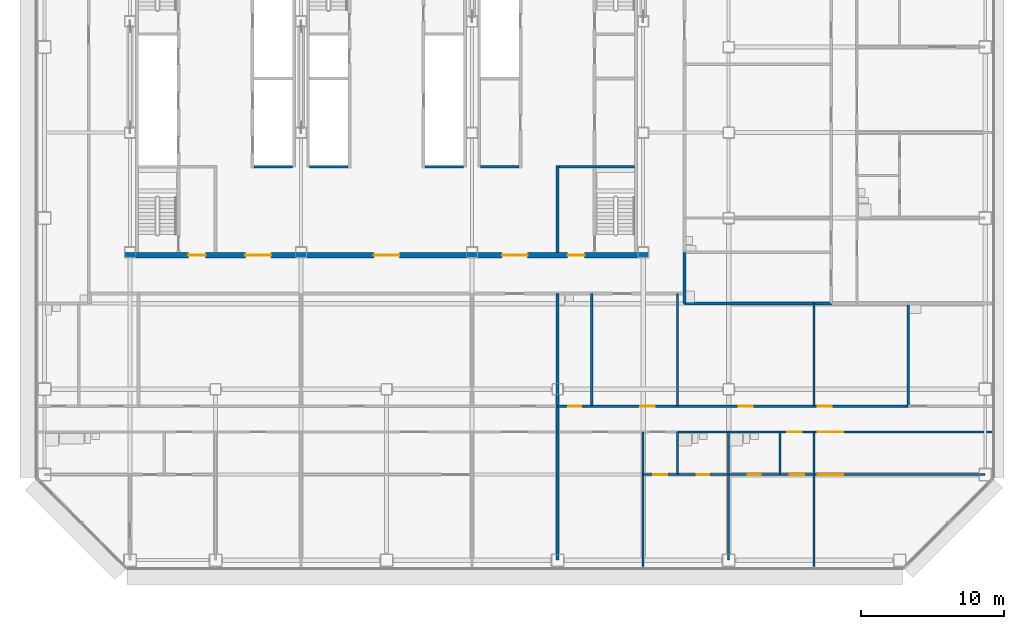
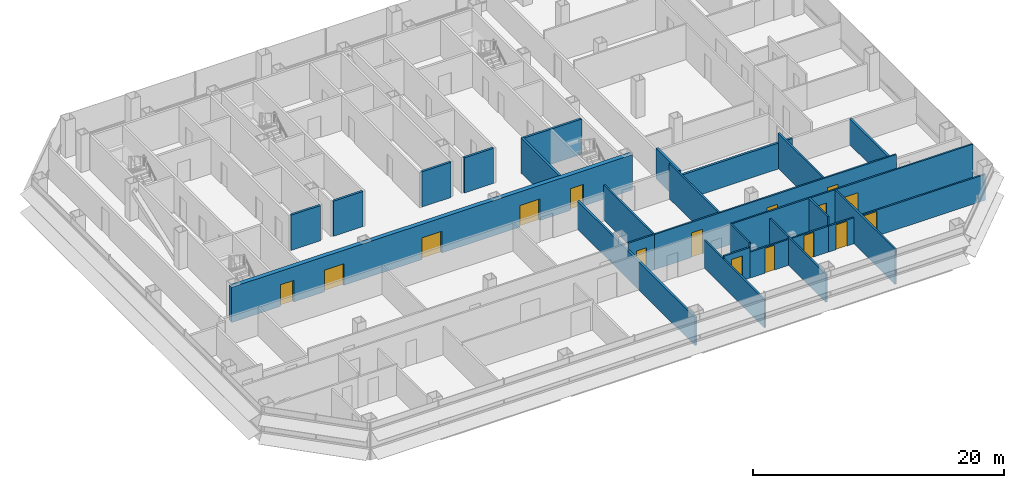
# One storey, part 21 of 27: 27 walls, 16 doors, 16 openings.
"""IFC4 building model written with IfcOpenShell, lengths in metres."""

from ifc_helpers import new_model, si_unit, direction, frame, frame_2d, origin, place, context, subcontext, project, spatial, rectangle, extrude, material, layer, layer_set, type_object, element, fill, save


model = new_model("IFC4")

# Units and contexts
model_context = context("Model", 3, precision=1e-05, world=origin(), true_north=direction((0.0, 1.0)))
body_context = subcontext(model_context, "Body", "Model", "MODEL_VIEW")
ifc_project = project(units=[si_unit("LENGTHUNIT", "METRE"), si_unit("AREAUNIT", "SQUARE_METRE"), si_unit("VOLUMEUNIT", "CUBIC_METRE"), si_unit("PLANEANGLEUNIT", "RADIAN"), si_unit("MASSUNIT", "GRAM", prefix="KILO")], contexts=[model_context])

# Site, building, storey
site_placement = place(None, origin())
site = spatial("IfcSite", under=ifc_project, at=site_placement, CompositionType="ELEMENT")
building_placement = place(site_placement, origin())
building = spatial("IfcBuilding", under=site, at=building_placement, Name="Sorahane Residences", CompositionType="ELEMENT")
storey_placement = place(building_placement, frame((0.0, 0.0, 49.800048828125)))
storey = spatial("IfcBuildingStorey", under=building, at=storey_placement, Name="L08", CompositionType="ELEMENT", Elevation=49.800048828125)

# Walls
ifc_material_1 = material(Name="Concrete C30", Category="concrete")
ifc_layer_1 = layer(ifc_material_1, 0.199951171875)
ifc_layer_set_1 = layer_set([ifc_layer_1], Name="Front room wall 200 EI 120")
wall_type_1 = type_object("IfcWallType", Name="Front room wall 200 EI 120", PredefinedType="PARTITIONING", material=ifc_layer_set_1)
wall_1_placement = place(storey_placement, frame((36.0, 21.60009765625, 0.0), z_axis=(0.0, 0.0, 1.0), x_axis=(0.0, 1.0, 0.0)))
element("IfcWall", 1, at=wall_1_placement, inside=storey, type_object=wall_type_1, Name="L08 front room wall", PredefinedType="PARTITIONING", context=body_context, shape_type="SweptSolid", body=[
    extrude(rectangle(XDim=6.099853515625, YDim=0.199951171875, at=frame_2d((3.0498046875, 0.0))), origin(), (0.0, 0.0, 1.0), 3.419921875),
])
ifc_material_2 = material(Name="Concrete blockwork C20 wall", Category="masonry")
ifc_layer_2 = layer(ifc_material_2, 0.199951171875)
ifc_layer_set_2 = layer_set([ifc_layer_2], Name="Kitchen wall 200 EI 180")
wall_type_2 = type_object("IfcWallType", Name="Kitchen wall 200 EI 180", PredefinedType="SOLIDWALL", material=ifc_layer_set_2)
wall_2_placement = place(storey_placement, frame((44.89990234375, 18.0, 0.0), z_axis=(0.0, 0.0, 1.0), x_axis=(0.0, 1.0, 0.0)))
element("IfcWall", 2, at=wall_2_placement, inside=storey, type_object=wall_type_2, Name="L08 kitchen wall", PredefinedType="SOLIDWALL", context=body_context, shape_type="SweptSolid", body=[
    extrude(rectangle(XDim=3.60009765625, YDim=0.199951171875, at=frame_2d((1.800048828125, 0.0))), origin(), (0.0, 0.0, 1.0), 2.969970703125),
])
wall_3_placement = place(storey_placement, frame((60.60009765625, 10.800048828125, 0.0), z_axis=(0.0, 0.0, 1.0), x_axis=(0.0, 1.0, 0.0)))
element("IfcWall", 3, at=wall_3_placement, inside=storey, type_object=wall_type_2, Name="L08 kitchen wall", PredefinedType="SOLIDWALL", context=body_context, shape_type="SweptSolid", body=[
    extrude(rectangle(XDim=7.199951171875, YDim=0.199951171875, at=frame_2d((3.60009765625, 0.0))), origin(), (0.0, 0.0, 1.0), 2.52001953125),
])
wall_4_placement = place(storey_placement, frame((44.89990234375, 18.0, 0.0), z_axis=(0.0, 0.0, 1.0), x_axis=(1.0, 0.0, 0.0)))
element("IfcWall", 4, at=wall_4_placement, inside=storey, type_object=wall_type_2, Name="L08 kitchen wall", PredefinedType="SOLIDWALL", context=body_context, shape_type="SweptSolid", body=[
    extrude(rectangle(XDim=10.300048828125, YDim=0.199951171875, at=frame_2d((5.14990234375, 0.0))), origin(), (0.0, 0.0, 1.0), 2.52001953125),
])
ifc_material_3 = material(Name="Concrete C30", Category="concrete")
ifc_layer_3 = layer(ifc_material_3, 0.199951171875)
ifc_layer_set_3 = layer_set([ifc_layer_3], Name="Lift shaft wall 200 EI 120")
wall_type_3 = type_object("IfcWallType", Name="Lift shaft wall 200 EI 120", PredefinedType="SOLIDWALL", material=ifc_layer_set_3)
for number, where, z_axis, x_axis, name in (
    (5, (14.699951171875, 27.60009765625, 0.0), (0.0, 0.0, 1.0), (1.0, 0.0, 0.0), "L08 lift shaft wall"),
    (6, (18.60009765625, 27.60009765625, 0.0), (0.0, 0.0, 1.0), (1.0, 0.0, 0.0), "L08 lift shaft wall"),
):
    element("IfcWall", number, at=place(storey_placement, frame(where, z_axis=z_axis, x_axis=x_axis)), inside=storey, type_object=wall_type_3, Name=name, PredefinedType="SOLIDWALL", context=body_context, shape_type="SweptSolid", body=[
        extrude(rectangle(XDim=2.699951171875, YDim=0.199951171875, at=frame_2d((1.35009765625, 0.0))), origin(), (0.0, 0.0, 1.0), 3.419921875),
    ])
ifc_material_4 = material(Name="Gypsum board partition on steel studs", Category="steel")
ifc_layer_4 = layer(ifc_material_4, 0.14990234375)
ifc_layer_set_4 = layer_set([ifc_layer_4], Name="Partition 150 EI 90")
wall_type_4 = type_object("IfcWallType", Name="Partition 150 EI 90", PredefinedType="PARTITIONING", material=ifc_layer_set_4)
wall_5_placement = place(storey_placement, frame((42.0, -0.60009765625, 0.0), z_axis=(0.0, 0.0, 1.0), x_axis=(0.0, 1.0, 0.0)))
element("IfcWall", 7, at=wall_5_placement, inside=storey, type_object=wall_type_4, Name="L08 partition", PredefinedType="PARTITIONING", context=body_context, shape_type="SweptSolid", body=[
    extrude(rectangle(XDim=9.60009765625, YDim=0.14990234375, at=frame_2d((4.800048828125, 0.0))), origin(), (0.0, 0.0, 1.0), 2.719970703125),
])
wall_6_placement = place(storey_placement, frame((44.39990234375, 10.800048828125, 0.0), z_axis=(0.0, 0.0, 1.0), x_axis=(0.0, 1.0, 0.0)))
element("IfcWall", 8, at=wall_6_placement, inside=storey, type_object=wall_type_4, Name="L08 partition", PredefinedType="PARTITIONING", context=body_context, shape_type="SweptSolid", body=[
    extrude(rectangle(XDim=7.89990234375, YDim=0.14990234375, at=frame_2d((3.949951171875, 0.0))), origin(), (0.0, 0.0, 1.0), 3.419921875),
])
wall_7_placement = place(storey_placement, frame((48.0, 0.0, 0.0), z_axis=(0.0, 0.0, 1.0), x_axis=(0.0, 1.0, 0.0)))
element("IfcWall", 9, at=wall_7_placement, inside=storey, type_object=wall_type_4, Name="L08 partition", PredefinedType="PARTITIONING", context=body_context, shape_type="SweptSolid", body=[
    extrude(rectangle(XDim=6.0, YDim=0.14990234375, at=frame_2d((3.0, 0.0))), origin(), (0.0, 0.0, 1.0), 2.719970703125),
])
wall_8_placement = place(storey_placement, frame((54.0, -0.60009765625, 0.0), z_axis=(0.0, 0.0, 1.0), x_axis=(0.0, 1.0, 0.0)))
element("IfcWall", 10, at=wall_8_placement, inside=storey, type_object=wall_type_4, Name="L08 partition", PredefinedType="PARTITIONING", context=body_context, shape_type="SweptSolid", body=[
    extrude(rectangle(XDim=9.60009765625, YDim=0.14990234375, at=frame_2d((4.800048828125, 0.0))), origin(), (0.0, 0.0, 1.0), 3.419921875),
])
wall_9_placement = place(storey_placement, frame((54.0, 10.800048828125, 0.0), z_axis=(0.0, 0.0, 1.0), x_axis=(0.0, 1.0, 0.0)))
element("IfcWall", 11, at=wall_9_placement, inside=storey, type_object=wall_type_4, Name="L08 partition", PredefinedType="PARTITIONING", context=body_context, shape_type="SweptSolid", body=[
    extrude(rectangle(XDim=7.199951171875, YDim=0.14990234375, at=frame_2d((3.60009765625, 0.0))), origin(), (0.0, 0.0, 1.0), 3.419921875),
])

# Wall, openings, doors
wall_10_placement = place(storey_placement, frame((38.39990234375, 10.800048828125, 0.0), z_axis=(0.0, 0.0, 1.0), x_axis=(1.0, 0.0, 0.0)))
wall_10 = element("IfcWall", 12, at=wall_10_placement, inside=storey, type_object=wall_type_4, Name="L08 partition", PredefinedType="PARTITIONING", context=body_context, shape_type="SweptSolid", body=[
    extrude(rectangle(XDim=22.2001953125, YDim=0.14990234375, at=frame_2d((11.10009765625, 0.0))), origin(), (0.0, 0.0, 1.0), 3.419921875),
])
opening_1_placement = place(wall_10_placement, frame((3.39990234375, 0.0, 0.0)))
opening_1 = element("IfcOpeningElement", 13, at=opening_1_placement, cuts=wall_10, Name="Opening L08-14", PredefinedType="OPENING", context=body_context, shape_type="SweptSolid", body=[
    extrude(rectangle(XDim=1.0, YDim=2.39990234375, at=frame_2d((0.5, 1.199951171875))), frame((0.0, 0.0849609375, 0.0), z_axis=(0.0, -1.0, 0.0), x_axis=(1.0, 0.0, 0.0)), (0.0, 0.0, 1.0), 0.169921875),
])
opening_2_placement = place(wall_10_placement, frame((10.300048828125, 0.0, 0.0)))
opening_2 = element("IfcOpeningElement", 14, at=opening_2_placement, cuts=wall_10, Name="Opening L08-16", PredefinedType="OPENING", context=body_context, shape_type="SweptSolid", body=[
    extrude(rectangle(XDim=1.0, YDim=2.39990234375, at=frame_2d((0.5, 1.199951171875))), frame((0.0, 0.0849609375, 0.0), z_axis=(0.0, -1.0, 0.0), x_axis=(1.0, 0.0, 0.0)), (0.0, 0.0, 1.0), 0.169921875),
])
opening_3_placement = place(wall_10_placement, frame((15.85009765625, 0.0, 0.0)))
opening_3 = element("IfcOpeningElement", 15, at=opening_3_placement, cuts=wall_10, Name="Opening L08-17", PredefinedType="OPENING", context=body_context, shape_type="SweptSolid", body=[
    extrude(rectangle(XDim=1.0, YDim=2.39990234375, at=frame_2d((0.5, 1.199951171875))), frame((0.0, 0.0849609375, 0.0), z_axis=(0.0, -1.0, 0.0), x_axis=(1.0, 0.0, 0.0)), (0.0, 0.0, 1.0), 0.169921875),
])
ifc_material_5 = material(Name="Timber veneered fire door", Category="wood")
door_type_1 = type_object("IfcDoorType", Name="Room door 1000x2400 FD30", OperationType="NOTDEFINED", PredefinedType="DOOR", material=ifc_material_5)
door_1_placement = place(opening_1_placement, frame((1.0, 0.0, 0.0), z_axis=(0.0, 0.0, 1.0), x_axis=(-1.0, 0.0, 0.0)))
door_1 = element("IfcDoor", 16, at=door_1_placement, inside=storey, type_object=door_type_1, Name="Room door L08-14", OperationType="SINGLE_SWING_RIGHT", OverallHeight=2.39990234375, OverallWidth=1.0, PredefinedType="DOOR", context=body_context, shape_type="SweptSolid", body=[
    extrude(rectangle(XDim=1.0, YDim=2.39990234375, at=frame_2d((0.5, 1.199951171875))), frame((0.0, 0.02490234375, 0.0), z_axis=(0.0, -1.0, 0.0), x_axis=(1.0, 0.0, 0.0)), (0.0, 0.0, 1.0), 0.050048828125),
])
fill(opening_1, door_1)
door_2_placement = place(opening_2_placement, origin())
door_2 = element("IfcDoor", 17, at=door_2_placement, inside=storey, type_object=door_type_1, Name="Room door L08-16", OperationType="SINGLE_SWING_LEFT", OverallHeight=2.39990234375, OverallWidth=1.0, PredefinedType="DOOR", context=body_context, shape_type="SweptSolid", body=[
    extrude(rectangle(XDim=1.0, YDim=2.39990234375, at=frame_2d((0.5, 1.199951171875))), frame((0.0, 0.02490234375, 0.0), z_axis=(0.0, -1.0, 0.0), x_axis=(1.0, 0.0, 0.0)), (0.0, 0.0, 1.0), 0.050048828125),
])
fill(opening_2, door_2)
door_3_placement = place(opening_3_placement, origin())
door_3 = element("IfcDoor", 18, at=door_3_placement, inside=storey, type_object=door_type_1, Name="Room door L08-17", OperationType="SINGLE_SWING_RIGHT", OverallHeight=2.39990234375, OverallWidth=1.0, PredefinedType="DOOR", context=body_context, shape_type="SweptSolid", body=[
    extrude(rectangle(XDim=1.0, YDim=2.39990234375, at=frame_2d((0.5, 1.199951171875))), frame((0.0, 0.02490234375, 0.0), z_axis=(0.0, -1.0, 0.0), x_axis=(1.0, 0.0, 0.0)), (0.0, 0.0, 1.0), 0.050048828125),
])
fill(opening_3, door_3)

# Wall, opening, door
wall_11_placement = place(storey_placement, frame((42.0, 6.0, 0.0), z_axis=(0.0, 0.0, 1.0), x_axis=(1.0, 0.0, 0.0)))
wall_11 = element("IfcWall", 19, at=wall_11_placement, inside=storey, type_object=wall_type_4, Name="L08 partition", PredefinedType="PARTITIONING", context=body_context, shape_type="SweptSolid", body=[
    extrude(rectangle(XDim=2.39990234375, YDim=0.14990234375, at=frame_2d((1.199951171875, 0.0))), origin(), (0.0, 0.0, 1.0), 2.969970703125),
])
opening_4_placement = place(wall_11_placement, frame((0.699951171875, 0.0, 0.0)))
opening_4 = element("IfcOpeningElement", 20, at=opening_4_placement, cuts=wall_11, Name="Opening L08-23", PredefinedType="OPENING", context=body_context, shape_type="SweptSolid", body=[
    extrude(rectangle(XDim=1.0, YDim=2.39990234375, at=frame_2d((0.5, 1.199951171875))), frame((0.0, 0.0849609375, 0.0), z_axis=(0.0, -1.0, 0.0), x_axis=(1.0, 0.0, 0.0)), (0.0, 0.0, 1.0), 0.169921875),
])
door_4_placement = place(opening_4_placement, frame((1.0, 0.0, 0.0), z_axis=(0.0, 0.0, 1.0), x_axis=(-1.0, 0.0, 0.0)))
door_4 = element("IfcDoor", 21, at=door_4_placement, inside=storey, type_object=door_type_1, Name="Room door L08-23", OperationType="SINGLE_SWING_RIGHT", OverallHeight=2.39990234375, OverallWidth=1.0, PredefinedType="DOOR", context=body_context, shape_type="SweptSolid", body=[
    extrude(rectangle(XDim=1.0, YDim=2.39990234375, at=frame_2d((0.5, 1.199951171875))), frame((0.0, 0.02490234375, 0.0), z_axis=(0.0, -1.0, 0.0), x_axis=(1.0, 0.0, 0.0)), (0.0, 0.0, 1.0), 0.050048828125),
])
fill(opening_4, door_4)

# Wall, openings, doors
wall_12_placement = place(storey_placement, frame((51.60009765625, 6.0, 0.0), z_axis=(0.0, 0.0, 1.0), x_axis=(1.0, 0.0, 0.0)))
wall_12 = element("IfcWall", 22, at=wall_12_placement, inside=storey, type_object=wall_type_4, Name="L08 partition", PredefinedType="PARTITIONING", context=body_context, shape_type="SweptSolid", body=[
    extrude(rectangle(XDim=14.39990234375, YDim=0.14990234375, at=frame_2d((7.199951171875, 0.0))), origin(), (0.0, 0.0, 1.0), 2.52001953125),
])
opening_5_placement = place(wall_12_placement, frame((0.699951171875, 0.0, 0.0)))
opening_5 = element("IfcOpeningElement", 23, at=opening_5_placement, cuts=wall_12, Name="Opening L08-25", PredefinedType="OPENING", context=body_context, shape_type="SweptSolid", body=[
    extrude(rectangle(XDim=1.0, YDim=2.39990234375, at=frame_2d((0.5, 1.199951171875))), frame((0.0, 0.0849609375, 0.0), z_axis=(0.0, -1.0, 0.0), x_axis=(1.0, 0.0, 0.0)), (0.0, 0.0, 1.0), 0.169921875),
])
opening_6_placement = place(wall_12_placement, frame((2.64990234375, 0.0, 0.0)))
opening_6 = element("IfcOpeningElement", 24, at=opening_6_placement, cuts=wall_12, Name="Opening L08-27", PredefinedType="OPENING", context=body_context, shape_type="SweptSolid", body=[
    extrude(rectangle(XDim=1.800048828125, YDim=2.39990234375, at=frame_2d((0.89990234375, 1.199951171875))), frame((0.0, 0.0849609375, 0.0), z_axis=(0.0, -1.0, 0.0), x_axis=(1.0, 0.0, 0.0)), (0.0, 0.0, 1.0), 0.169921875),
])
ifc_material_6 = material(Name="Timber veneered fire door", Category="wood")
door_type_2 = type_object("IfcDoorType", Name="Double door 1800x2400 FD30", OperationType="NOTDEFINED", PredefinedType="DOOR", material=ifc_material_6)
door_5_placement = place(opening_6_placement, frame((1.800048828125, 0.0, 0.0), z_axis=(0.0, 0.0, 1.0), x_axis=(-1.0, 0.0, 0.0)))
door_5 = element("IfcDoor", 25, at=door_5_placement, inside=storey, type_object=door_type_2, Name="Double door L08-27", OperationType="SINGLE_SWING_RIGHT", OverallHeight=2.39990234375, OverallWidth=1.800048828125, PredefinedType="DOOR", context=body_context, shape_type="SweptSolid", body=[
    extrude(rectangle(XDim=1.800048828125, YDim=2.39990234375, at=frame_2d((0.89990234375, 1.199951171875))), frame((0.0, 0.02490234375, 0.0), z_axis=(0.0, -1.0, 0.0), x_axis=(1.0, 0.0, 0.0)), (0.0, 0.0, 1.0), 0.050048828125),
])
fill(opening_6, door_5)
door_6_placement = place(opening_5_placement, frame((1.0, 0.0, 0.0), z_axis=(0.0, 0.0, 1.0), x_axis=(-1.0, 0.0, 0.0)))
door_6 = element("IfcDoor", 26, at=door_6_placement, inside=storey, type_object=door_type_1, Name="Room door L08-25", OperationType="SINGLE_SWING_RIGHT", OverallHeight=2.39990234375, OverallWidth=1.0, PredefinedType="DOOR", context=body_context, shape_type="SweptSolid", body=[
    extrude(rectangle(XDim=1.0, YDim=2.39990234375, at=frame_2d((0.5, 1.199951171875))), frame((0.0, 0.02490234375, 0.0), z_axis=(0.0, -1.0, 0.0), x_axis=(1.0, 0.0, 0.0)), (0.0, 0.0, 1.0), 0.050048828125),
])
fill(opening_5, door_6)

wall_13_placement = place(storey_placement, frame((51.60009765625, 9.0, 0.0), z_axis=(0.0, 0.0, 1.0), x_axis=(1.0, 0.0, 0.0)))
wall_13 = element("IfcWall", 27, at=wall_13_placement, inside=storey, type_object=wall_type_4, Name="L08 partition", PredefinedType="PARTITIONING", context=body_context, shape_type="SweptSolid", body=[
    extrude(rectangle(XDim=15.0, YDim=0.14990234375, at=frame_2d((7.5, 0.0))), origin(), (0.0, 0.0, 1.0), 3.419921875),
])
opening_7_placement = place(wall_13_placement, frame((0.52001953125, 0.0, 0.0)))
opening_7 = element("IfcOpeningElement", 28, at=opening_7_placement, cuts=wall_13, Name="Opening L08-21", PredefinedType="OPENING", context=body_context, shape_type="SweptSolid", body=[
    extrude(rectangle(XDim=1.0, YDim=2.39990234375, at=frame_2d((0.5, 1.199951171875))), frame((0.0, 0.0849609375, 0.0), z_axis=(0.0, -1.0, 0.0), x_axis=(1.0, 0.0, 0.0)), (0.0, 0.0, 1.0), 0.169921875),
])
opening_8_placement = place(wall_13_placement, frame((2.64990234375, 0.0, 0.0)))
opening_8 = element("IfcOpeningElement", 29, at=opening_8_placement, cuts=wall_13, Name="Opening L08-22", PredefinedType="OPENING", context=body_context, shape_type="SweptSolid", body=[
    extrude(rectangle(XDim=1.800048828125, YDim=2.39990234375, at=frame_2d((0.89990234375, 1.199951171875))), frame((0.0, 0.0849609375, 0.0), z_axis=(0.0, -1.0, 0.0), x_axis=(1.0, 0.0, 0.0)), (0.0, 0.0, 1.0), 0.169921875),
])
door_7_placement = place(opening_8_placement, frame((1.800048828125, 0.0, 0.0), z_axis=(0.0, 0.0, 1.0), x_axis=(-1.0, 0.0, 0.0)))
door_7 = element("IfcDoor", 30, at=door_7_placement, inside=storey, type_object=door_type_2, Name="Double door L08-22", OperationType="SINGLE_SWING_LEFT", OverallHeight=2.39990234375, OverallWidth=1.800048828125, PredefinedType="DOOR", context=body_context, shape_type="SweptSolid", body=[
    extrude(rectangle(XDim=1.800048828125, YDim=2.39990234375, at=frame_2d((0.89990234375, 1.199951171875))), frame((0.0, 0.02490234375, 0.0), z_axis=(0.0, -1.0, 0.0), x_axis=(1.0, 0.0, 0.0)), (0.0, 0.0, 1.0), 0.050048828125),
])
fill(opening_8, door_7)
door_8_placement = place(opening_7_placement, frame((1.0, 0.0, 0.0), z_axis=(0.0, 0.0, 1.0), x_axis=(-1.0, 0.0, 0.0)))
door_8 = element("IfcDoor", 31, at=door_8_placement, inside=storey, type_object=door_type_1, Name="Room door L08-21", OperationType="SINGLE_SWING_RIGHT", OverallHeight=2.39990234375, OverallWidth=1.0, PredefinedType="DOOR", context=body_context, shape_type="SweptSolid", body=[
    extrude(rectangle(XDim=1.0, YDim=2.39990234375, at=frame_2d((0.5, 1.199951171875))), frame((0.0, 0.02490234375, 0.0), z_axis=(0.0, -1.0, 0.0), x_axis=(1.0, 0.0, 0.0)), (0.0, 0.0, 1.0), 0.050048828125),
])
fill(opening_7, door_8)

# Walls
ifc_material_7 = material(Name="Concrete blockwork C20 wall", Category="masonry")
ifc_layer_5 = layer(ifc_material_7, 0.199951171875)
ifc_layer_set_5 = layer_set([ifc_layer_5], Name="Party wall 200 EI 120")
wall_type_5 = type_object("IfcWallType", Name="Party wall 200 EI 120", PredefinedType="SOLIDWALL", material=ifc_layer_set_5)
wall_14_placement = place(storey_placement, frame((36.0, 0.0, 0.0), z_axis=(0.0, 0.0, 1.0), x_axis=(0.0, 1.0, 0.0)))
element("IfcWall", 32, at=wall_14_placement, inside=storey, type_object=wall_type_5, Name="L08 party wall", PredefinedType="SOLIDWALL", context=body_context, shape_type="SweptSolid", body=[
    extrude(rectangle(XDim=18.699951171875, YDim=0.199951171875, at=frame_2d((9.35009765625, 0.0))), origin(), (0.0, 0.0, 1.0), 2.719970703125),
])
ifc_material_8 = material(Name="Concrete C30", Category="concrete")
ifc_layer_6 = layer(ifc_material_8, 0.199951171875)
ifc_layer_set_6 = layer_set([ifc_layer_6], Name="Riser shaft wall 200 EI 120")
wall_type_6 = type_object("IfcWallType", Name="Riser shaft wall 200 EI 120", PredefinedType="SOLIDWALL", material=ifc_layer_set_6)
wall_15_placement = place(storey_placement, frame((26.699951171875, 27.60009765625, 0.0), z_axis=(0.0, 0.0, 1.0), x_axis=(1.0, 0.0, 0.0)))
element("IfcWall", 33, at=wall_15_placement, inside=storey, type_object=wall_type_6, Name="L08 riser wall", PredefinedType="SOLIDWALL", context=body_context, shape_type="SweptSolid", body=[
    extrude(rectangle(XDim=2.699951171875, YDim=0.199951171875, at=frame_2d((1.35009765625, 0.0))), origin(), (0.0, 0.0, 1.0), 3.419921875),
])
ifc_material_9 = material(Name="Concrete C30", Category="concrete")
ifc_layer_7 = layer(ifc_material_9, 0.199951171875)
ifc_layer_set_7 = layer_set([ifc_layer_7], Name="Service room partition 200 EI 60")
wall_type_7 = type_object("IfcWallType", Name="Service room partition 200 EI 60", PredefinedType="PARTITIONING", material=ifc_layer_set_7)
wall_16_placement = place(storey_placement, frame((30.60009765625, 27.60009765625, 0.0), z_axis=(0.0, 0.0, 1.0), x_axis=(1.0, 0.0, 0.0)))
element("IfcWall", 34, at=wall_16_placement, inside=storey, type_object=wall_type_7, Name="L08 service room wall", PredefinedType="PARTITIONING", context=body_context, shape_type="SweptSolid", body=[
    extrude(rectangle(XDim=2.699951171875, YDim=0.199951171875, at=frame_2d((1.35009765625, 0.0))), origin(), (0.0, 0.0, 1.0), 3.419921875),
])
ifc_material_10 = material(Name="Concrete C30", Category="concrete")
ifc_layer_8 = layer(ifc_material_10, 0.199951171875)
ifc_layer_set_8 = layer_set([ifc_layer_8], Name="Stair enclosure wall 200 EI 120")
wall_type_8 = type_object("IfcWallType", Name="Stair enclosure wall 200 EI 120", PredefinedType="SOLIDWALL", material=ifc_layer_set_8)
wall_17_placement = place(storey_placement, frame((36.10009765625, 27.60009765625, 0.0), z_axis=(0.0, 0.0, 1.0), x_axis=(1.0, 0.0, 0.0)))
element("IfcWall", 35, at=wall_17_placement, inside=storey, type_object=wall_type_8, Name="L08 stair enclosure wall", PredefinedType="SOLIDWALL", context=body_context, shape_type="SweptSolid", body=[
    extrude(rectangle(XDim=5.2998046875, YDim=0.199951171875, at=frame_2d((2.64990234375, 0.0))), origin(), (0.0, 0.0, 1.0), 3.419921875),
])

# Wall, openings, doors
ifc_material_11 = material(Name="Concrete C30", Category="concrete")
ifc_layer_9 = layer(ifc_material_11, 0.39990234375)
ifc_layer_set_9 = layer_set([ifc_layer_9], Name="Waiting hall wall 400 EI 120")
wall_type_9 = type_object("IfcWallType", Name="Waiting hall wall 400 EI 120", PredefinedType="SOLIDWALL", material=ifc_layer_set_9)
wall_18_placement = place(storey_placement, frame((5.60009765625, 21.39990234375, 0.0), z_axis=(0.0, 0.0, 1.0), x_axis=(1.0, 0.0, 0.0)))
wall_18 = element("IfcWall", 36, at=wall_18_placement, inside=storey, type_object=wall_type_9, Name="L08 waiting hall wall", PredefinedType="SOLIDWALL", context=body_context, shape_type="SweptSolid", body=[
    extrude(rectangle(XDim=36.7998046875, YDim=0.39990234375, at=frame_2d((18.39990234375, 0.0))), origin(), (0.0, 0.0, 1.0), 3.419921875),
])
opening_9_placement = place(wall_18_placement, frame((8.5, 0.0, 0.0)))
opening_9 = element("IfcOpeningElement", 37, at=opening_9_placement, cuts=wall_18, Name="Opening L08-C01", PredefinedType="OPENING", context=body_context, shape_type="SweptSolid", body=[
    extrude(rectangle(XDim=1.800048828125, YDim=2.10009765625, at=frame_2d((0.89990234375, 1.050048828125))), frame((0.0, 0.2099609375, 0.0), z_axis=(0.0, -1.0, 0.0), x_axis=(1.0, 0.0, 0.0)), (0.0, 0.0, 1.0), 0.419921875),
])
opening_10_placement = place(wall_18_placement, frame((17.5, 0.0, 0.0)))
opening_10 = element("IfcOpeningElement", 38, at=opening_10_placement, cuts=wall_18, Name="Opening L08-C02", PredefinedType="OPENING", context=body_context, shape_type="SweptSolid", body=[
    extrude(rectangle(XDim=1.800048828125, YDim=2.10009765625, at=frame_2d((0.89990234375, 1.050048828125))), frame((0.0, 0.2099609375, 0.0), z_axis=(0.0, -1.0, 0.0), x_axis=(1.0, 0.0, 0.0)), (0.0, 0.0, 1.0), 0.419921875),
])
opening_11_placement = place(wall_18_placement, frame((26.5, 0.0, 0.0)))
opening_11 = element("IfcOpeningElement", 39, at=opening_11_placement, cuts=wall_18, Name="Opening L08-C03", PredefinedType="OPENING", context=body_context, shape_type="SweptSolid", body=[
    extrude(rectangle(XDim=1.800048828125, YDim=2.10009765625, at=frame_2d((0.89990234375, 1.050048828125))), frame((0.0, 0.2099609375, 0.0), z_axis=(0.0, -1.0, 0.0), x_axis=(1.0, 0.0, 0.0)), (0.0, 0.0, 1.0), 0.419921875),
])
opening_12_placement = place(wall_18_placement, frame((4.5, 0.0, 0.0)))
opening_12 = element("IfcOpeningElement", 40, at=opening_12_placement, cuts=wall_18, Name="Opening L08-C04", PredefinedType="OPENING", context=body_context, shape_type="SweptSolid", body=[
    extrude(rectangle(XDim=1.199951171875, YDim=2.10009765625, at=frame_2d((0.60009765625, 1.050048828125))), frame((0.0, 0.2099609375, 0.0), z_axis=(0.0, -1.0, 0.0), x_axis=(1.0, 0.0, 0.0)), (0.0, 0.0, 1.0), 0.419921875),
])
opening_13_placement = place(wall_18_placement, frame((31.10009765625, 0.0, 0.0)))
opening_13 = element("IfcOpeningElement", 41, at=opening_13_placement, cuts=wall_18, Name="Opening L08-C05", PredefinedType="OPENING", context=body_context, shape_type="SweptSolid", body=[
    extrude(rectangle(XDim=1.199951171875, YDim=2.10009765625, at=frame_2d((0.60009765625, 1.050048828125))), frame((0.0, 0.2099609375, 0.0), z_axis=(0.0, -1.0, 0.0), x_axis=(1.0, 0.0, 0.0)), (0.0, 0.0, 1.0), 0.419921875),
])
ifc_material_12 = material(Name="Steel", Category="steel")
door_type_3 = type_object("IfcDoorType", Name="Stair front room door 1200x2100 FD120", OperationType="NOTDEFINED", PredefinedType="DOOR", material=ifc_material_12)
door_9_placement = place(opening_12_placement, frame((1.199951171875, 0.0, 0.0), z_axis=(0.0, 0.0, 1.0), x_axis=(-1.0, 0.0, 0.0)))
door_9 = element("IfcDoor", 42, at=door_9_placement, inside=storey, type_object=door_type_3, Name="Stair front room door Stair S4 front room L08", OperationType="SINGLE_SWING_LEFT", OverallHeight=2.10009765625, OverallWidth=1.199951171875, PredefinedType="DOOR", context=body_context, shape_type="SweptSolid", body=[
    extrude(rectangle(XDim=1.199951171875, YDim=2.10009765625, at=frame_2d((0.60009765625, 1.050048828125))), frame((0.0, 0.02490234375, 0.0), z_axis=(0.0, -1.0, 0.0), x_axis=(1.0, 0.0, 0.0)), (0.0, 0.0, 1.0), 0.050048828125),
])
fill(opening_12, door_9)
door_10_placement = place(opening_13_placement, frame((1.199951171875, 0.0, 0.0), z_axis=(0.0, 0.0, 1.0), x_axis=(-1.0, 0.0, 0.0)))
door_10 = element("IfcDoor", 43, at=door_10_placement, inside=storey, type_object=door_type_3, Name="Stair front room door Stair S5 front room L08", OperationType="SINGLE_SWING_LEFT", OverallHeight=2.10009765625, OverallWidth=1.199951171875, PredefinedType="DOOR", context=body_context, shape_type="SweptSolid", body=[
    extrude(rectangle(XDim=1.199951171875, YDim=2.10009765625, at=frame_2d((0.60009765625, 1.050048828125))), frame((0.0, 0.02490234375, 0.0), z_axis=(0.0, -1.0, 0.0), x_axis=(1.0, 0.0, 0.0)), (0.0, 0.0, 1.0), 0.050048828125),
])
fill(opening_13, door_10)
ifc_material_13 = material(Name="Steel", Category="steel")
door_type_4 = type_object("IfcDoorType", Name="Waiting hall door 1800x2100 FD60", OperationType="NOTDEFINED", PredefinedType="DOOR", material=ifc_material_13)
door_11_placement = place(opening_9_placement, frame((1.800048828125, 0.0, 0.0), z_axis=(0.0, 0.0, 1.0), x_axis=(-1.0, 0.0, 0.0)))
door_11 = element("IfcDoor", 44, at=door_11_placement, inside=storey, type_object=door_type_4, Name="Waiting hall door Residents' waiting hall L08", OperationType="SINGLE_SWING_LEFT", OverallHeight=2.10009765625, OverallWidth=1.800048828125, PredefinedType="DOOR", context=body_context, shape_type="SweptSolid", body=[
    extrude(rectangle(XDim=1.800048828125, YDim=2.10009765625, at=frame_2d((0.89990234375, 1.050048828125))), frame((0.0, 0.02490234375, 0.0), z_axis=(0.0, -1.0, 0.0), x_axis=(1.0, 0.0, 0.0)), (0.0, 0.0, 1.0), 0.050048828125),
])
fill(opening_9, door_11)
door_12_placement = place(opening_10_placement, frame((1.800048828125, 0.0, 0.0), z_axis=(0.0, 0.0, 1.0), x_axis=(-1.0, 0.0, 0.0)))
door_12 = element("IfcDoor", 45, at=door_12_placement, inside=storey, type_object=door_type_4, Name="Waiting hall door Residents' waiting hall L08", OperationType="SINGLE_SWING_LEFT", OverallHeight=2.10009765625, OverallWidth=1.800048828125, PredefinedType="DOOR", context=body_context, shape_type="SweptSolid", body=[
    extrude(rectangle(XDim=1.800048828125, YDim=2.10009765625, at=frame_2d((0.89990234375, 1.050048828125))), frame((0.0, 0.02490234375, 0.0), z_axis=(0.0, -1.0, 0.0), x_axis=(1.0, 0.0, 0.0)), (0.0, 0.0, 1.0), 0.050048828125),
])
fill(opening_10, door_12)
door_13_placement = place(opening_11_placement, frame((1.800048828125, 0.0, 0.0), z_axis=(0.0, 0.0, 1.0), x_axis=(-1.0, 0.0, 0.0)))
door_13 = element("IfcDoor", 46, at=door_13_placement, inside=storey, type_object=door_type_4, Name="Waiting hall door Residents' waiting hall L08", OperationType="SINGLE_SWING_LEFT", OverallHeight=2.10009765625, OverallWidth=1.800048828125, PredefinedType="DOOR", context=body_context, shape_type="SweptSolid", body=[
    extrude(rectangle(XDim=1.800048828125, YDim=2.10009765625, at=frame_2d((0.89990234375, 1.050048828125))), frame((0.0, 0.02490234375, 0.0), z_axis=(0.0, -1.0, 0.0), x_axis=(1.0, 0.0, 0.0)), (0.0, 0.0, 1.0), 0.050048828125),
])
fill(opening_11, door_13)

# Walls
ifc_material_14 = material(Name="Gypsum board partition on steel studs", Category="steel")
ifc_layer_10 = layer(ifc_material_14, 0.14990234375)
ifc_layer_set_10 = layer_set([ifc_layer_10], Name="Wet wall 150 EI 90")
wall_type_10 = type_object("IfcWallType", Name="Wet wall 150 EI 90", PredefinedType="PARTITIONING", material=ifc_layer_set_10)
wall_19_placement = place(storey_placement, frame((38.39990234375, 10.800048828125, 0.0), z_axis=(0.0, 0.0, 1.0), x_axis=(0.0, 1.0, 0.0)))
element("IfcWall", 47, at=wall_19_placement, inside=storey, type_object=wall_type_10, Name="L08 wet wall", PredefinedType="PARTITIONING", context=body_context, shape_type="SweptSolid", body=[
    extrude(rectangle(XDim=7.89990234375, YDim=0.14990234375, at=frame_2d((3.949951171875, 0.0))), origin(), (0.0, 0.0, 1.0), 3.419921875),
])
wall_20_placement = place(storey_placement, frame((44.39990234375, 6.0, 0.0), z_axis=(0.0, 0.0, 1.0), x_axis=(0.0, 1.0, 0.0)))
element("IfcWall", 48, at=wall_20_placement, inside=storey, type_object=wall_type_10, Name="L08 wet wall", PredefinedType="PARTITIONING", context=body_context, shape_type="SweptSolid", body=[
    extrude(rectangle(XDim=3.0, YDim=0.14990234375, at=frame_2d((1.5, 0.0))), origin(), (0.0, 0.0, 1.0), 3.419921875),
])
wall_21_placement = place(storey_placement, frame((48.0, 6.0, 0.0), z_axis=(0.0, 0.0, 1.0), x_axis=(0.0, 1.0, 0.0)))
element("IfcWall", 49, at=wall_21_placement, inside=storey, type_object=wall_type_10, Name="L08 wet wall", PredefinedType="PARTITIONING", context=body_context, shape_type="SweptSolid", body=[
    extrude(rectangle(XDim=3.0, YDim=0.14990234375, at=frame_2d((1.5, 0.0))), origin(), (0.0, 0.0, 1.0), 2.719970703125),
])
wall_22_placement = place(storey_placement, frame((51.60009765625, 6.0, 0.0), z_axis=(0.0, 0.0, 1.0), x_axis=(0.0, 1.0, 0.0)))
element("IfcWall", 50, at=wall_22_placement, inside=storey, type_object=wall_type_10, Name="L08 wet wall", PredefinedType="PARTITIONING", context=body_context, shape_type="SweptSolid", body=[
    extrude(rectangle(XDim=3.0, YDim=0.14990234375, at=frame_2d((1.5, 0.0))), origin(), (0.0, 0.0, 1.0), 3.419921875),
])

# Wall, opening, door
wall_23_placement = place(storey_placement, frame((36.0, 10.800048828125, 0.0), z_axis=(0.0, 0.0, 1.0), x_axis=(1.0, 0.0, 0.0)))
wall_23 = element("IfcWall", 51, at=wall_23_placement, inside=storey, type_object=wall_type_10, Name="L08 wet wall", PredefinedType="PARTITIONING", context=body_context, shape_type="SweptSolid", body=[
    extrude(rectangle(XDim=2.39990234375, YDim=0.14990234375, at=frame_2d((1.199951171875, 0.0))), origin(), (0.0, 0.0, 1.0), 3.419921875),
])
opening_14_placement = place(wall_23_placement, frame((0.75, 0.0, 0.0)))
opening_14 = element("IfcOpeningElement", 52, at=opening_14_placement, cuts=wall_23, Name="Opening L08-15", PredefinedType="OPENING", context=body_context, shape_type="SweptSolid", body=[
    extrude(rectangle(XDim=0.89990234375, YDim=2.39990234375, at=frame_2d((0.449951171875, 1.199951171875))), frame((0.0, 0.0849609375, 0.0), z_axis=(0.0, -1.0, 0.0), x_axis=(1.0, 0.0, 0.0)), (0.0, 0.0, 1.0), 0.169921875),
])
ifc_material_15 = material(Name="Timber veneered fire door", Category="wood")
door_type_5 = type_object("IfcDoorType", Name="Bathroom door 900x2400 FD30", OperationType="NOTDEFINED", PredefinedType="DOOR", material=ifc_material_15)
door_14_placement = place(opening_14_placement, frame((0.89990234375, 0.0, 0.0), z_axis=(0.0, 0.0, 1.0), x_axis=(-1.0, 0.0, 0.0)))
door_14 = element("IfcDoor", 53, at=door_14_placement, inside=storey, type_object=door_type_5, Name="Bathroom door L08-15", OperationType="SINGLE_SWING_RIGHT", OverallHeight=2.39990234375, OverallWidth=0.89990234375, PredefinedType="DOOR", context=body_context, shape_type="SweptSolid", body=[
    extrude(rectangle(XDim=0.89990234375, YDim=2.39990234375, at=frame_2d((0.449951171875, 1.199951171875))), frame((0.0, 0.02490234375, 0.0), z_axis=(0.0, -1.0, 0.0), x_axis=(1.0, 0.0, 0.0)), (0.0, 0.0, 1.0), 0.050048828125),
])
fill(opening_14, door_14)

# Wall, openings, doors
wall_24_placement = place(storey_placement, frame((44.39990234375, 6.0, 0.0), z_axis=(0.0, 0.0, 1.0), x_axis=(1.0, 0.0, 0.0)))
wall_24 = element("IfcWall", 54, at=wall_24_placement, inside=storey, type_object=wall_type_10, Name="L08 wet wall", PredefinedType="PARTITIONING", context=body_context, shape_type="SweptSolid", body=[
    extrude(rectangle(XDim=7.2001953125, YDim=0.14990234375, at=frame_2d((3.60009765625, 0.0))), origin(), (0.0, 0.0, 1.0), 2.52001953125),
])
opening_15_placement = place(wall_24_placement, frame((1.35009765625, 0.0, 0.0)))
opening_15 = element("IfcOpeningElement", 55, at=opening_15_placement, cuts=wall_24, Name="Opening L08-24", PredefinedType="OPENING", context=body_context, shape_type="SweptSolid", body=[
    extrude(rectangle(XDim=0.89990234375, YDim=2.39990234375, at=frame_2d((0.449951171875, 1.199951171875))), frame((0.0, 0.0849609375, 0.0), z_axis=(0.0, -1.0, 0.0), x_axis=(1.0, 0.0, 0.0)), (0.0, 0.0, 1.0), 0.169921875),
])
opening_16_placement = place(wall_24_placement, frame((4.949951171875, 0.0, 0.0)))
opening_16 = element("IfcOpeningElement", 56, at=opening_16_placement, cuts=wall_24, Name="Opening L08-26", PredefinedType="OPENING", context=body_context, shape_type="SweptSolid", body=[
    extrude(rectangle(XDim=0.89990234375, YDim=2.39990234375, at=frame_2d((0.449951171875, 1.199951171875))), frame((0.0, 0.0849609375, 0.0), z_axis=(0.0, -1.0, 0.0), x_axis=(1.0, 0.0, 0.0)), (0.0, 0.0, 1.0), 0.169921875),
])
door_15_placement = place(opening_15_placement, frame((0.89990234375, 0.0, 0.0), z_axis=(0.0, 0.0, 1.0), x_axis=(-1.0, 0.0, 0.0)))
door_15 = element("IfcDoor", 57, at=door_15_placement, inside=storey, type_object=door_type_5, Name="Bathroom door L08-24", OperationType="SINGLE_SWING_LEFT", OverallHeight=2.39990234375, OverallWidth=0.89990234375, PredefinedType="DOOR", context=body_context, shape_type="SweptSolid", body=[
    extrude(rectangle(XDim=0.89990234375, YDim=2.39990234375, at=frame_2d((0.449951171875, 1.199951171875))), frame((0.0, 0.02490234375, 0.0), z_axis=(0.0, -1.0, 0.0), x_axis=(1.0, 0.0, 0.0)), (0.0, 0.0, 1.0), 0.050048828125),
])
fill(opening_15, door_15)
door_16_placement = place(opening_16_placement, frame((0.89990234375, 0.0, 0.0), z_axis=(0.0, 0.0, 1.0), x_axis=(-1.0, 0.0, 0.0)))
door_16 = element("IfcDoor", 58, at=door_16_placement, inside=storey, type_object=door_type_5, Name="Bathroom door L08-26", OperationType="SINGLE_SWING_LEFT", OverallHeight=2.39990234375, OverallWidth=0.89990234375, PredefinedType="DOOR", context=body_context, shape_type="SweptSolid", body=[
    extrude(rectangle(XDim=0.89990234375, YDim=2.39990234375, at=frame_2d((0.449951171875, 1.199951171875))), frame((0.0, 0.02490234375, 0.0), z_axis=(0.0, -1.0, 0.0), x_axis=(1.0, 0.0, 0.0)), (0.0, 0.0, 1.0), 0.050048828125),
])
fill(opening_16, door_16)

# Wall
wall_25_placement = place(storey_placement, frame((44.39990234375, 9.0, 0.0), z_axis=(0.0, 0.0, 1.0), x_axis=(1.0, 0.0, 0.0)))
element("IfcWall", 59, at=wall_25_placement, inside=storey, type_object=wall_type_10, Name="L08 wet wall", PredefinedType="PARTITIONING", context=body_context, shape_type="SweptSolid", body=[
    extrude(rectangle(XDim=7.2001953125, YDim=0.14990234375, at=frame_2d((3.60009765625, 0.0))), origin(), (0.0, 0.0, 1.0), 3.419921875),
])

save(model, "model.ifc")
